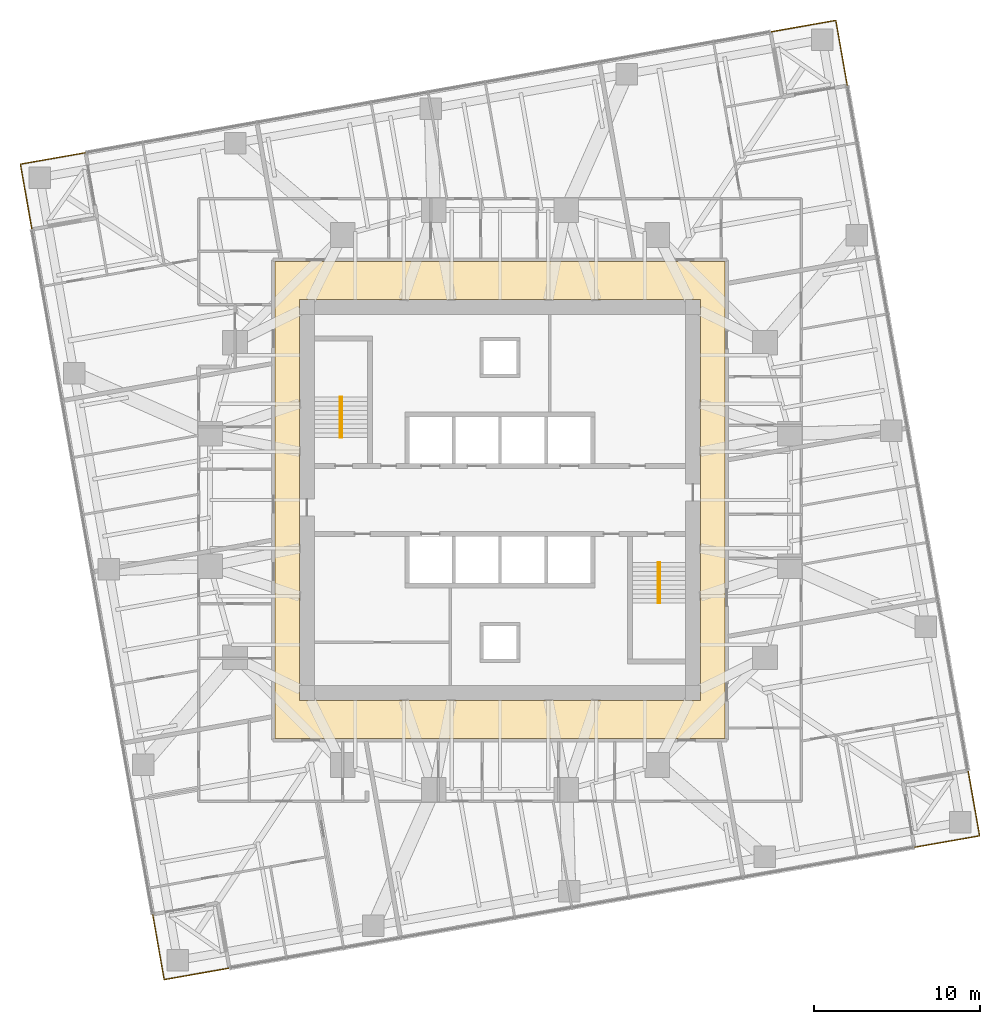
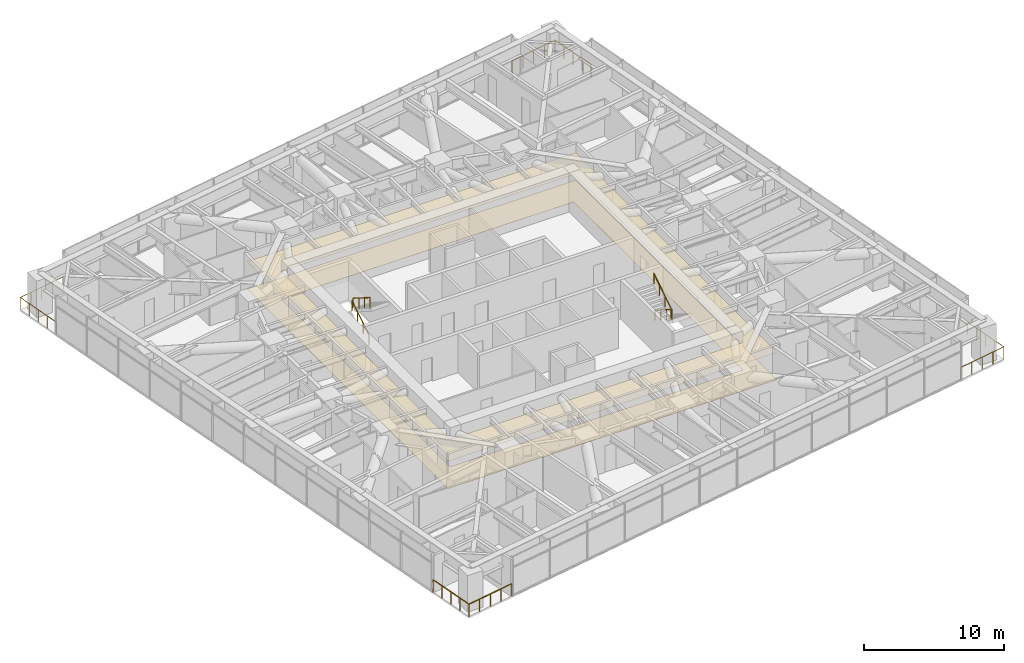
# One storey, part 17 of 17: 8 railings, 2 coverings, 2 elements without a shape of their own.
"""IFC4 building model written with IfcOpenShell, lengths in metres."""

from ifc_helpers import new_model, si_unit, direction, frame, origin, origin_2d, place, context, subcontext, project, spatial, polyline, circle, outline, extrude, material, layer, layer_set, type_object, element, aggregate, save


model = new_model("IFC4")

# Units and contexts
model_context = context("Model", 3, precision=1e-05, world=origin(), true_north=direction((0.0, 1.0)))
body_context = subcontext(model_context, "Body", "Model", "MODEL_VIEW")
ifc_project = project(units=[si_unit("LENGTHUNIT", "METRE"), si_unit("AREAUNIT", "SQUARE_METRE"), si_unit("VOLUMEUNIT", "CUBIC_METRE"), si_unit("PLANEANGLEUNIT", "RADIAN"), si_unit("MASSUNIT", "GRAM", prefix="KILO")], contexts=[model_context])

# Site, building, storey
site_placement = place(None, origin())
site = spatial("IfcSite", under=ifc_project, at=site_placement, CompositionType="ELEMENT")
building_placement = place(site_placement, origin())
building = spatial("IfcBuilding", under=site, at=building_placement, Name="Torsade Residences", CompositionType="ELEMENT")
storey_placement = place(building_placement, frame((0.0, 0.0, 103.199951171875)))
storey = spatial("IfcBuildingStorey", under=building, at=storey_placement, Name="L28", CompositionType="ELEMENT", Elevation=103.199951171875)

# Coverings
ifc_material_1 = material(Name="Nylon carpet tile on underlay", Category="textile")
ifc_layer_1 = layer(ifc_material_1, 0.010009765625)
ifc_layer_set_1 = layer_set([ifc_layer_1], Name="Nylon carpet tile on underlay")
covering_type_1 = type_object("IfcCoveringType", Name="CORRIDOR CARPET TILE 10", PredefinedType="FLOORING", material=ifc_layer_set_1)
covering_1_placement = place(storey_placement, origin())
element("IfcCovering", 1, at=covering_1_placement, inside=storey, type_object=covering_type_1, Name="Corridor carpet L28", PredefinedType="FLOORING", context=body_context, shape_type="SweptSolid", body=[
    extrude(outline(polyline([(53.60009765625, 15.60009765625), (53.60009765625, 44.39990234375), (26.39990234375, 44.39990234375), (26.39990234375, 15.60009765625), (53.60009765625, 15.60009765625)]), holes=[polyline([(52.10009765625, 42.10009765625), (27.89990234375, 42.10009765625), (27.89990234375, 17.89990234375), (52.10009765625, 17.89990234375), (52.10009765625, 42.10009765625)])]), origin(), (0.0, 0.0, 1.0), 0.010009765625),
])
ifc_material_2 = material(Name="Plasterboard on suspended steel grid", Category="steel")
ifc_layer_2 = layer(ifc_material_2, 0.012939453125)
ifc_layer_set_2 = layer_set([ifc_layer_2], Name="Plasterboard on suspended steel grid")
covering_type_2 = type_object("IfcCoveringType", Name="CORRIDOR SUSPENDED CEILING 13", PredefinedType="CEILING", material=ifc_layer_set_2)
covering_2_placement = place(storey_placement, frame((0.0, 0.0, 2.400146484375)))
element("IfcCovering", 2, at=covering_2_placement, inside=storey, type_object=covering_type_2, Name="Corridor ceiling L28", PredefinedType="CEILING", context=body_context, shape_type="SweptSolid", body=[
    extrude(outline(polyline([(53.60009765625, 15.60009765625), (53.60009765625, 44.39990234375), (26.39990234375, 44.39990234375), (26.39990234375, 15.60009765625), (53.60009765625, 15.60009765625)]), holes=[polyline([(52.10009765625, 42.10009765625), (27.89990234375, 42.10009765625), (27.89990234375, 17.89990234375), (52.10009765625, 17.89990234375), (52.10009765625, 42.10009765625)])]), origin(), (0.0, 0.0, 1.0), 0.012939453125),
])

# Stair, railings
ifc_material_3 = material(Name="Precast concrete 40 MPa", Category="concrete")
stair_type = type_object("IfcStairType", Name="HALF-TURN FIRE STAIR 1500x3400", PredefinedType="HALF_TURN_STAIR", material=ifc_material_3)
stair_1_placement = place(storey_placement, origin())
stair_1 = element("IfcStair", 3, at=stair_1_placement, inside=storey, type_object=stair_type, Name="Stair ST1 L28", PredefinedType="HALF_TURN_STAIR")
ifc_material_4 = material(Name="Steel handrail", Category="steel")
railing_type_1 = type_object("IfcRailingType", Name="STAIR HANDRAIL 900", PredefinedType="HANDRAIL", material=ifc_material_4)
railing_1_placement = place(storey_placement, frame((30.35009765625, 33.780029296875, 0.170166015625)))
railing_1 = element("IfcRailing", 4, at=railing_1_placement, type_object=railing_type_1, Name="Handrail ST1 flight 1 L28", PredefinedType="HANDRAIL", context=body_context, shape_type="SweptSolid", body=[
    extrude(circle(Radius=0.02392578125, at=origin_2d()), frame((0.0, 0.0, 0.8759765625), z_axis=(0.0, 0.846259816676, 0.532770422113), x_axis=(-1.0, 0.0, 0.0)), (0.0, 0.0, 1.0), 2.871337890625),
    extrude(circle(Radius=0.02099609375, at=origin_2d()), origin(), (0.0, 0.0, 1.0), 0.851806640625),
    extrude(circle(Radius=0.02099609375, at=origin_2d()), frame((0.0, 0.81005859375, 0.510009765625)), (0.0, 0.0, 1.0), 0.851806640625),
    extrude(circle(Radius=0.02099609375, at=origin_2d()), frame((0.0, 1.619873046875, 1.019775390625)), (0.0, 0.0, 1.0), 0.851806640625),
    extrude(circle(Radius=0.02099609375, at=origin_2d()), frame((0.0, 2.429931640625, 1.52978515625)), (0.0, 0.0, 1.0), 0.851806640625),
])
railing_2_placement = place(storey_placement, frame((30.449951171875, 36.2099609375, 1.8701171875)))
railing_2 = element("IfcRailing", 5, at=railing_2_placement, type_object=railing_type_1, Name="Handrail ST1 flight 2 L28", PredefinedType="HANDRAIL", context=body_context, shape_type="SweptSolid", body=[
    extrude(circle(Radius=0.02392578125, at=origin_2d()), frame((0.0, 0.0, 0.8759765625), z_axis=(0.0, -0.846221481393, 0.532831309544), x_axis=(1.0, 0.0, 0.0)), (0.0, 0.0, 1.0), 2.87158203125),
    extrude(circle(Radius=0.02099609375, at=origin_2d()), origin(), (0.0, 0.0, 1.0), 0.851806640625),
    extrude(circle(Radius=0.02099609375, at=origin_2d()), frame((0.0, -0.81005859375, 0.510009765625)), (0.0, 0.0, 1.0), 0.851806640625),
    extrude(circle(Radius=0.02099609375, at=origin_2d()), frame((0.0, -1.619873046875, 1.02001953125)), (0.0, 0.0, 1.0), 0.851806640625),
    extrude(circle(Radius=0.02099609375, at=origin_2d()), frame((0.0, -2.429931640625, 1.530029296875)), (0.0, 0.0, 1.0), 0.851806640625),
])
aggregate(stair_1, [railing_1, railing_2])

stair_2_placement = place(storey_placement, origin())
stair_2 = element("IfcStair", 6, at=stair_2_placement, inside=storey, type_object=stair_type, Name="Stair ST2 L28", PredefinedType="HALF_TURN_STAIR")
railing_3_placement = place(storey_placement, frame((49.64990234375, 26.219970703125, 0.170166015625)))
railing_3 = element("IfcRailing", 7, at=railing_3_placement, type_object=railing_type_1, Name="Handrail ST2 flight 1 L28", PredefinedType="HANDRAIL", context=body_context, shape_type="SweptSolid", body=[
    extrude(circle(Radius=0.02392578125, at=origin_2d()), frame((0.0, 0.0, 0.8759765625), z_axis=(0.0, -0.846259816676, 0.532770422113), x_axis=(1.0, 0.0, 0.0)), (0.0, 0.0, 1.0), 2.871337890625),
    extrude(circle(Radius=0.02099609375, at=origin_2d()), origin(), (0.0, 0.0, 1.0), 0.851806640625),
    extrude(circle(Radius=0.02099609375, at=origin_2d()), frame((0.0, -0.81005859375, 0.510009765625)), (0.0, 0.0, 1.0), 0.851806640625),
    extrude(circle(Radius=0.02099609375, at=origin_2d()), frame((0.0, -1.619873046875, 1.019775390625)), (0.0, 0.0, 1.0), 0.851806640625),
    extrude(circle(Radius=0.02099609375, at=origin_2d()), frame((0.0, -2.429931640625, 1.52978515625)), (0.0, 0.0, 1.0), 0.851806640625),
])
railing_4_placement = place(storey_placement, frame((49.550048828125, 23.7900390625, 1.8701171875)))
railing_4 = element("IfcRailing", 8, at=railing_4_placement, type_object=railing_type_1, Name="Handrail ST2 flight 2 L28", PredefinedType="HANDRAIL", context=body_context, shape_type="SweptSolid", body=[
    extrude(circle(Radius=0.02392578125, at=origin_2d()), frame((0.0, 0.0, 0.8759765625), z_axis=(0.0, 0.846221481393, 0.532831309544), x_axis=(-1.0, 0.0, 0.0)), (0.0, 0.0, 1.0), 2.87158203125),
    extrude(circle(Radius=0.02099609375, at=origin_2d()), origin(), (0.0, 0.0, 1.0), 0.851806640625),
    extrude(circle(Radius=0.02099609375, at=origin_2d()), frame((0.0, 0.81005859375, 0.510009765625)), (0.0, 0.0, 1.0), 0.851806640625),
    extrude(circle(Radius=0.02099609375, at=origin_2d()), frame((0.0, 1.619873046875, 1.02001953125)), (0.0, 0.0, 1.0), 0.851806640625),
    extrude(circle(Radius=0.02099609375, at=origin_2d()), frame((0.0, 2.429931640625, 1.530029296875)), (0.0, 0.0, 1.0), 0.851806640625),
])
aggregate(stair_2, [railing_3, railing_4])

# Railings
ifc_material_5 = material(Name="Laminated glass balustrade", Category="glass")
railing_type_2 = type_object("IfcRailingType", Name="TERRACE GLASS BALUSTRADE 1100", PredefinedType="BALUSTRADE", material=ifc_material_5)
railing_5_placement = place(storey_placement, frame((65.022216796875, 9.0263671875, 0.0)))
element("IfcRailing", 9, at=railing_5_placement, inside=storey, type_object=railing_type_2, Name="Terrace balustrade SE L28", PredefinedType="BALUSTRADE", context=body_context, shape_type="SweptSolid", body=[
    extrude(circle(Radius=0.02392578125, at=origin_2d()), frame((0.0, 0.0, 1.076171875), z_axis=(0.984808127031, 0.173646056486, 0.0), x_axis=(-0.173646056486, 0.984808127031, 0.0)), (0.0, 0.0, 1.0), 4.0),
    extrude(circle(Radius=0.02392578125, at=origin_2d()), frame((3.939208984375, 0.694580078125, 1.076171875), z_axis=(-0.173646056486, 0.984808127031, 0.0), x_axis=(-0.984808127031, -0.173646056486, 0.0)), (0.0, 0.0, 1.0), 4.0),
    extrude(circle(Radius=0.02099609375, at=origin_2d()), origin(), (0.0, 0.0, 1.0), 1.052001953125),
    extrude(circle(Radius=0.02099609375, at=origin_2d()), frame((0.98486328125, 0.173583984375, 0.0)), (0.0, 0.0, 1.0), 1.052001953125),
    extrude(circle(Radius=0.02099609375, at=origin_2d()), frame((1.9697265625, 0.34716796875, 0.0)), (0.0, 0.0, 1.0), 1.052001953125),
    extrude(circle(Radius=0.02099609375, at=origin_2d()), frame((2.954345703125, 0.52099609375, 0.0)), (0.0, 0.0, 1.0), 1.052001953125),
    extrude(circle(Radius=0.02099609375, at=origin_2d()), frame((3.939208984375, 0.694580078125, 0.0)), (0.0, 0.0, 1.0), 1.052001953125),
    extrude(circle(Radius=0.02099609375, at=origin_2d()), frame((3.765625, 1.679443359375, 0.0)), (0.0, 0.0, 1.0), 1.052001953125),
    extrude(circle(Radius=0.02099609375, at=origin_2d()), frame((3.591796875, 2.6640625, 0.0)), (0.0, 0.0, 1.0), 1.052001953125),
    extrude(circle(Radius=0.02099609375, at=origin_2d()), frame((3.418212890625, 3.64892578125, 0.0)), (0.0, 0.0, 1.0), 1.052001953125),
    extrude(circle(Radius=0.02099609375, at=origin_2d()), frame((3.24462890625, 4.6337890625, 0.0)), (0.0, 0.0, 1.0), 1.052001953125),
])
railing_6_placement = place(storey_placement, frame((60.9736328125, 55.022216796875, 0.0)))
element("IfcRailing", 10, at=railing_6_placement, inside=storey, type_object=railing_type_2, Name="Terrace balustrade NE L28", PredefinedType="BALUSTRADE", context=body_context, shape_type="SweptSolid", body=[
    extrude(circle(Radius=0.02392578125, at=origin_2d()), frame((0.0, 0.0, 1.076171875), z_axis=(-0.173646056486, 0.984808127031, 0.0), x_axis=(-0.984808127031, -0.173646056486, 0.0)), (0.0, 0.0, 1.0), 4.0),
    extrude(circle(Radius=0.02392578125, at=origin_2d()), frame((-0.694580078125, 3.939208984375, 1.076171875), z_axis=(-0.984808127031, -0.173646056486, 0.0), x_axis=(0.173646056486, -0.984808127031, 0.0)), (0.0, 0.0, 1.0), 4.0),
    extrude(circle(Radius=0.02099609375, at=origin_2d()), origin(), (0.0, 0.0, 1.0), 1.052001953125),
    extrude(circle(Radius=0.02099609375, at=origin_2d()), frame((-0.173583984375, 0.98486328125, 0.0)), (0.0, 0.0, 1.0), 1.052001953125),
    extrude(circle(Radius=0.02099609375, at=origin_2d()), frame((-0.34716796875, 1.9697265625, 0.0)), (0.0, 0.0, 1.0), 1.052001953125),
    extrude(circle(Radius=0.02099609375, at=origin_2d()), frame((-0.52099609375, 2.954345703125, 0.0)), (0.0, 0.0, 1.0), 1.052001953125),
    extrude(circle(Radius=0.02099609375, at=origin_2d()), frame((-0.694580078125, 3.939208984375, 0.0)), (0.0, 0.0, 1.0), 1.052001953125),
    extrude(circle(Radius=0.02099609375, at=origin_2d()), frame((-1.679443359375, 3.765625, 0.0)), (0.0, 0.0, 1.0), 1.052001953125),
    extrude(circle(Radius=0.02099609375, at=origin_2d()), frame((-2.6640625, 3.591796875, 0.0)), (0.0, 0.0, 1.0), 1.052001953125),
    extrude(circle(Radius=0.02099609375, at=origin_2d()), frame((-3.64892578125, 3.418212890625, 0.0)), (0.0, 0.0, 1.0), 1.052001953125),
    extrude(circle(Radius=0.02099609375, at=origin_2d()), frame((-4.6337890625, 3.24462890625, 0.0)), (0.0, 0.0, 1.0), 1.052001953125),
])
railing_7_placement = place(storey_placement, frame((14.977783203125, 50.9736328125, 0.0)))
element("IfcRailing", 11, at=railing_7_placement, inside=storey, type_object=railing_type_2, Name="Terrace balustrade NW L28", PredefinedType="BALUSTRADE", context=body_context, shape_type="SweptSolid", body=[
    extrude(circle(Radius=0.02392578125, at=origin_2d()), frame((0.0, 0.0, 1.076171875), z_axis=(-0.984808127031, -0.173646056486, 0.0), x_axis=(0.173646056486, -0.984808127031, 0.0)), (0.0, 0.0, 1.0), 4.0),
    extrude(circle(Radius=0.02392578125, at=origin_2d()), frame((-3.939208984375, -0.694580078125, 1.076171875), z_axis=(0.173646056486, -0.984808127031, 0.0), x_axis=(0.984808127031, 0.173646056486, 0.0)), (0.0, 0.0, 1.0), 4.0),
    extrude(circle(Radius=0.02099609375, at=origin_2d()), origin(), (0.0, 0.0, 1.0), 1.052001953125),
    extrude(circle(Radius=0.02099609375, at=origin_2d()), frame((-0.98486328125, -0.173583984375, 0.0)), (0.0, 0.0, 1.0), 1.052001953125),
    extrude(circle(Radius=0.02099609375, at=origin_2d()), frame((-1.9697265625, -0.34716796875, 0.0)), (0.0, 0.0, 1.0), 1.052001953125),
    extrude(circle(Radius=0.02099609375, at=origin_2d()), frame((-2.954345703125, -0.52099609375, 0.0)), (0.0, 0.0, 1.0), 1.052001953125),
    extrude(circle(Radius=0.02099609375, at=origin_2d()), frame((-3.939208984375, -0.694580078125, 0.0)), (0.0, 0.0, 1.0), 1.052001953125),
    extrude(circle(Radius=0.02099609375, at=origin_2d()), frame((-3.765625, -1.679443359375, 0.0)), (0.0, 0.0, 1.0), 1.052001953125),
    extrude(circle(Radius=0.02099609375, at=origin_2d()), frame((-3.591796875, -2.6640625, 0.0)), (0.0, 0.0, 1.0), 1.052001953125),
    extrude(circle(Radius=0.02099609375, at=origin_2d()), frame((-3.418212890625, -3.64892578125, 0.0)), (0.0, 0.0, 1.0), 1.052001953125),
    extrude(circle(Radius=0.02099609375, at=origin_2d()), frame((-3.24462890625, -4.6337890625, 0.0)), (0.0, 0.0, 1.0), 1.052001953125),
])
railing_8_placement = place(storey_placement, frame((19.0263671875, 4.977783203125, 0.0)))
element("IfcRailing", 12, at=railing_8_placement, inside=storey, type_object=railing_type_2, Name="Terrace balustrade SW L28", PredefinedType="BALUSTRADE", context=body_context, shape_type="SweptSolid", body=[
    extrude(circle(Radius=0.02392578125, at=origin_2d()), frame((0.0, 0.0, 1.076171875), z_axis=(0.173646056486, -0.984808127031, 0.0), x_axis=(0.984808127031, 0.173646056486, 0.0)), (0.0, 0.0, 1.0), 4.0),
    extrude(circle(Radius=0.02392578125, at=origin_2d()), frame((0.694580078125, -3.939208984375, 1.076171875), z_axis=(0.984808127031, 0.173646056486, 0.0), x_axis=(-0.173646056486, 0.984808127031, 0.0)), (0.0, 0.0, 1.0), 4.0),
    extrude(circle(Radius=0.02099609375, at=origin_2d()), origin(), (0.0, 0.0, 1.0), 1.052001953125),
    extrude(circle(Radius=0.02099609375, at=origin_2d()), frame((0.173583984375, -0.98486328125, 0.0)), (0.0, 0.0, 1.0), 1.052001953125),
    extrude(circle(Radius=0.02099609375, at=origin_2d()), frame((0.34716796875, -1.9697265625, 0.0)), (0.0, 0.0, 1.0), 1.052001953125),
    extrude(circle(Radius=0.02099609375, at=origin_2d()), frame((0.52099609375, -2.954345703125, 0.0)), (0.0, 0.0, 1.0), 1.052001953125),
    extrude(circle(Radius=0.02099609375, at=origin_2d()), frame((0.694580078125, -3.939208984375, 0.0)), (0.0, 0.0, 1.0), 1.052001953125),
    extrude(circle(Radius=0.02099609375, at=origin_2d()), frame((1.679443359375, -3.765625, 0.0)), (0.0, 0.0, 1.0), 1.052001953125),
    extrude(circle(Radius=0.02099609375, at=origin_2d()), frame((2.6640625, -3.591796875, 0.0)), (0.0, 0.0, 1.0), 1.052001953125),
    extrude(circle(Radius=0.02099609375, at=origin_2d()), frame((3.64892578125, -3.418212890625, 0.0)), (0.0, 0.0, 1.0), 1.052001953125),
    extrude(circle(Radius=0.02099609375, at=origin_2d()), frame((4.6337890625, -3.24462890625, 0.0)), (0.0, 0.0, 1.0), 1.052001953125),
])

save(model, "model.ifc")
